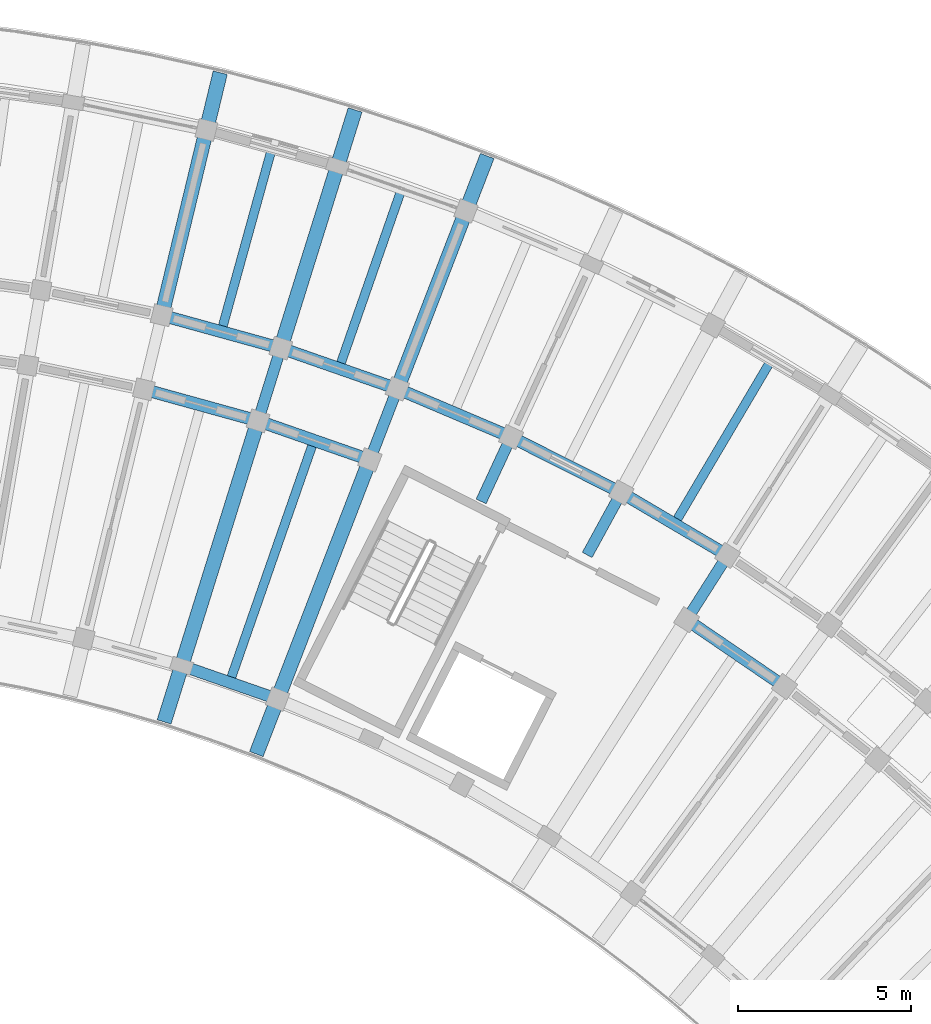
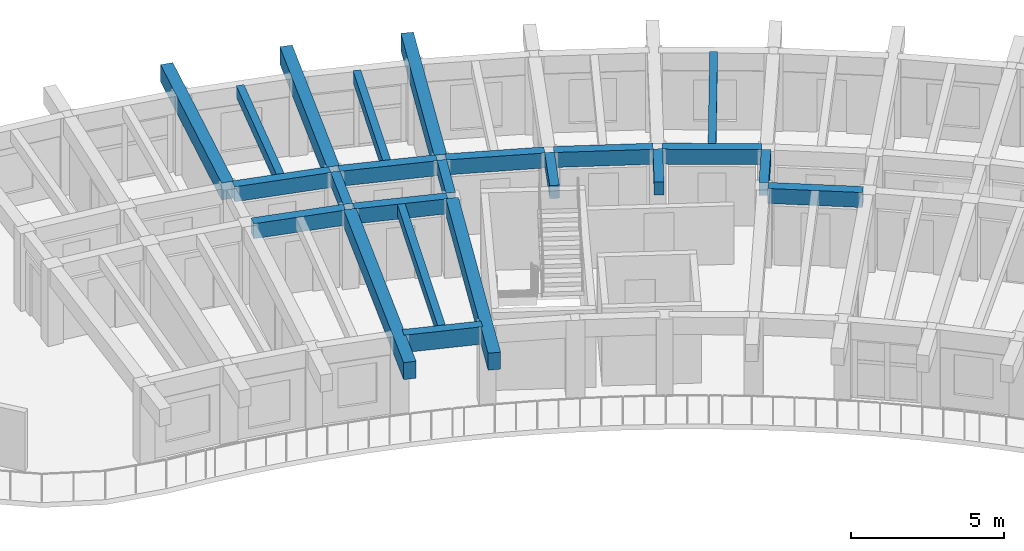
# One storey, part 39 of 96: 23 beams.
"""IFC4 building model written with IfcOpenShell, lengths in metres."""

from ifc_helpers import new_model, si_unit, direction, frame, origin, origin_2d, place, context, subcontext, project, spatial, rectangle, extrude, material, material_profile, profile_set, type_object, element, save


model = new_model("IFC4")

# Units and contexts
model_context = context("Model", 3, precision=1e-05, world=origin(), true_north=direction((0.0, 1.0)))
body_context = subcontext(model_context, "Body", "Model", "MODEL_VIEW")
ifc_project = project(units=[si_unit("LENGTHUNIT", "METRE"), si_unit("AREAUNIT", "SQUARE_METRE"), si_unit("VOLUMEUNIT", "CUBIC_METRE"), si_unit("PLANEANGLEUNIT", "RADIAN"), si_unit("MASSUNIT", "GRAM", prefix="KILO")], contexts=[model_context])

# Site, building, storey
site_placement = place(None, origin())
site = spatial("IfcSite", under=ifc_project, at=site_placement, CompositionType="ELEMENT")
building_placement = place(site_placement, origin())
building = spatial("IfcBuilding", under=site, at=building_placement, Name="Tanwirah Colonnade Gardens", CompositionType="ELEMENT")
storey_placement = place(building_placement, frame((0.0, 0.0, 12.199951171875)))
storey = spatial("IfcBuildingStorey", under=building, at=storey_placement, Name="L03", CompositionType="ELEMENT", Elevation=12.199951171875)

# Beams
ifc_material_1 = material(Name="Precast concrete C40/50", Category="concrete")
ifc_material_profile_1 = material_profile(ifc_material_1, rectangle(XDim=0.320068359375, YDim=0.52001953125, at=origin_2d()), Name="PC-BM 320x520")
ifc_profile_set_1 = profile_set([ifc_material_profile_1], Name="Precast concrete C40/50")
beam_type_1 = type_object("IfcBeamType", Name="BM-PC320", PredefinedType="BEAM", material=ifc_profile_set_1)
for number, where, z_axis, x_axis, name in (
    (1, (148.89697265625, 104.08349609375, 2.844970703125), (0.536509579595, 0.843894229749, 0.0), (-0.843894229749, 0.536509579595, 0.0), "Block B L03 Corridor Tie Beam 11"),
    (2, (145.945068359375, 105.826171875, 2.844970703125), (0.479707235792, 0.877428611301, 0.0), (-0.877428611301, 0.479707235792, 0.0), "Block B L03 Corridor Tie Beam 12"),
    (3, (142.884765625, 107.37060546875, 2.844970703125), (0.420858322681, 0.90712638162, 0.0), (-0.90712638162, 0.420858322681, 0.0), "Block B L03 Corridor Tie Beam 13"),
    (4, (139.729248046875, 108.7099609375, 2.844970703125), (0.360175656082, 0.932884503444, 0.0), (-0.932884503444, 0.360175656082, 0.0), "Block B L03 Corridor Tie Beam 14"),
    (5, (136.492431640625, 109.838623046875, 2.844970703125), (0.297857918398, 0.954610213882, 0.0), (-0.954610213882, 0.297857918398, 0.0), "Block B L03 Corridor Tie Beam 15"),
):
    element("IfcBeam", number, at=place(storey_placement, frame(where, z_axis=z_axis, x_axis=x_axis)), inside=storey, type_object=beam_type_1, Name=name, PredefinedType="BEAM", context=body_context, shape_type="SweptSolid", body=[
        extrude(rectangle(XDim=0.320068359375, YDim=0.52001953125, at=origin_2d()), origin(), (0.0, 0.0, 1.0), 1.89990234375),
    ])
ifc_material_profile_2 = material_profile(ifc_material_1, rectangle(XDim=0.35009765625, YDim=0.60009765625, at=origin_2d()), Name="PC-BM 350x600")
ifc_profile_set_2 = profile_set([ifc_material_profile_2], Name="Precast concrete C40/50")
beam_type_2 = type_object("IfcBeamType", Name="BM-PC350B", PredefinedType="BEAM", material=ifc_profile_set_2)
beam_1_placement = place(storey_placement, frame((151.515380859375, 102.113525390625, 2.804931640625), z_axis=(-0.825758291455, 0.564024152047, 0.0), x_axis=(-0.564024152047, -0.825758291455, 0.0)))
element("IfcBeam", 6, at=beam_1_placement, inside=storey, type_object=beam_type_2, Name="Block B L03 Circumferential Beam 10-R1", PredefinedType="BEAM", context=body_context, shape_type="SweptSolid", body=[
    extrude(rectangle(XDim=0.35009765625, YDim=0.60009765625, at=origin_2d()), origin(), (0.0, 0.0, 1.0), 3.118408203125),
])
for number, where, z_axis, x_axis, name in (
    (7, (149.86767578125, 105.8896484375, 2.804931640625), (-0.861134978964, 0.508376384193, 0.0), (-0.508376384193, -0.861134978964, 0.0), "Block B L03 Circumferential Beam 11-R2"),
    (8, (146.794677734375, 107.6923828125, 2.804931640625), (-0.89276014323, 0.450532270387, 0.0), (-0.450532270387, -0.89276014323, 0.0), "Block B L03 Circumferential Beam 12-R2"),
):
    element("IfcBeam", number, at=place(storey_placement, frame(where, z_axis=z_axis, x_axis=x_axis)), inside=storey, type_object=beam_type_2, Name=name, PredefinedType="BEAM", context=body_context, shape_type="SweptSolid", body=[
        extrude(rectangle(XDim=0.35009765625, YDim=0.60009765625, at=origin_2d()), origin(), (0.0, 0.0, 1.0), 3.26318359375),
    ])
beam_2_placement = place(storey_placement, frame((143.609375, 109.288818359375, 2.804931640625), z_axis=(-0.920513294115, 0.390711242938, 0.0), x_axis=(-0.390711242938, -0.920513294115, 0.0)))
element("IfcBeam", 9, at=beam_2_placement, inside=storey, type_object=beam_type_2, Name="Block B L03 Circumferential Beam 13-R2", PredefinedType="BEAM", context=body_context, shape_type="SweptSolid", body=[
    extrude(rectangle(XDim=0.35009765625, YDim=0.60009765625, at=origin_2d()), origin(), (0.0, 0.0, 1.0), 3.262939453125),
])
beam_3_placement = place(storey_placement, frame((139.53369140625, 108.619384765625, 2.804931640625), z_axis=(-0.944248304077, 0.329234172358, 0.0), x_axis=(-0.329234172358, -0.944248304077, 0.0)))
element("IfcBeam", 10, at=beam_3_placement, inside=storey, type_object=beam_type_2, Name="Block B L03 Circumferential Beam 14-R1", PredefinedType="BEAM", context=body_context, shape_type="SweptSolid", body=[
    extrude(rectangle(XDim=0.35009765625, YDim=0.60009765625, at=origin_2d()), origin(), (0.0, 0.0, 1.0), 3.1181640625),
])
beam_4_placement = place(storey_placement, frame((140.325927734375, 110.671630859375, 2.804931640625), z_axis=(-0.944231021702, 0.329283734272, 0.0), x_axis=(-0.329283734272, -0.944231021702, 0.0)))
element("IfcBeam", 11, at=beam_4_placement, inside=storey, type_object=beam_type_2, Name="Block B L03 Circumferential Beam 14-R2", PredefinedType="BEAM", context=body_context, shape_type="SweptSolid", body=[
    extrude(rectangle(XDim=0.35009765625, YDim=0.60009765625, at=origin_2d()), origin(), (0.0, 0.0, 1.0), 3.262939453125),
])
beam_5_placement = place(storey_placement, frame((136.302978515625, 109.7353515625, 2.804931640625), z_axis=(-0.963889412906, 0.266302834548, 0.0), x_axis=(-0.266302834548, -0.963889412906, 0.0)))
element("IfcBeam", 12, at=beam_5_placement, inside=storey, type_object=beam_type_2, Name="Block B L03 Circumferential Beam 15-R1", PredefinedType="BEAM", context=body_context, shape_type="SweptSolid", body=[
    extrude(rectangle(XDim=0.35009765625, YDim=0.60009765625, at=origin_2d()), origin(), (0.0, 0.0, 1.0), 3.117919921875),
])
beam_6_placement = place(storey_placement, frame((136.95849609375, 111.83544921875, 2.804931640625), z_axis=(-0.9638953302, 0.266281415833, 0.0), x_axis=(-0.266281415833, -0.9638953302, 0.0)))
element("IfcBeam", 13, at=beam_6_placement, inside=storey, type_object=beam_type_2, Name="Block B L03 Circumferential Beam 15-R2", PredefinedType="BEAM", context=body_context, shape_type="SweptSolid", body=[
    extrude(rectangle(XDim=0.35009765625, YDim=0.60009765625, at=origin_2d()), origin(), (0.0, 0.0, 1.0), 3.26318359375),
])
ifc_material_2 = material(Name="Precast concrete C45/55", Category="concrete")
ifc_material_profile_3 = material_profile(ifc_material_2, rectangle(XDim=0.419921875, YDim=0.679931640625, at=origin_2d()), Name="PC-BM 420x680")
ifc_profile_set_3 = profile_set([ifc_material_profile_3], Name="Precast concrete C45/55")
beam_type_3 = type_object("IfcBeamType", Name="BM-PC420", PredefinedType="BEAM", material=ifc_profile_set_3)
beam_7_placement = place(storey_placement, frame((139.62109375, 108.43017578125, 2.76513671875), z_axis=(-0.360155980892, -0.932892099563, 0.0), x_axis=(0.932892099563, -0.360155980892, 0.0)))
element("IfcBeam", 14, at=beam_7_placement, inside=storey, type_object=beam_type_3, Name="Block B L03 Inner Radial Precast Girder 14", PredefinedType="BEAM", context=body_context, shape_type="SweptSolid", body=[
    extrude(rectangle(XDim=0.419921875, YDim=0.679931640625, at=origin_2d()), origin(), (0.0, 0.0, 1.0), 8.949951171875),
])
beam_8_placement = place(storey_placement, frame((140.521728515625, 110.76220703125, 2.76513671875), z_axis=(0.360150678391, 0.932894146651, 0.0), x_axis=(-0.932894146651, 0.360150678391, 0.0)))
element("IfcBeam", 15, at=beam_8_placement, inside=storey, type_object=beam_type_3, Name="Block B L03 Outer Radial Precast Girder 14", PredefinedType="BEAM", context=body_context, shape_type="SweptSolid", body=[
    extrude(rectangle(XDim=0.419921875, YDim=0.679931640625, at=origin_2d()), origin(), (0.0, 0.0, 1.0), 7.050048828125),
])
beam_9_placement = place(storey_placement, frame((136.403076171875, 109.55224609375, 2.76513671875), z_axis=(-0.29792861283, -0.9545881529, 0.0), x_axis=(0.9545881529, -0.29792861283, 0.0)))
element("IfcBeam", 16, at=beam_9_placement, inside=storey, type_object=beam_type_3, Name="Block B L03 Inner Radial Precast Girder 15", PredefinedType="BEAM", context=body_context, shape_type="SweptSolid", body=[
    extrude(rectangle(XDim=0.419921875, YDim=0.679931640625, at=origin_2d()), origin(), (0.0, 0.0, 1.0), 8.9501953125),
])
beam_10_placement = place(storey_placement, frame((137.147705078125, 111.938720703125, 2.76513671875), z_axis=(0.297957513373, 0.954579132511, 0.0), x_axis=(-0.954579132511, 0.297957513373, 0.0)))
element("IfcBeam", 17, at=beam_10_placement, inside=storey, type_object=beam_type_3, Name="Block B L03 Outer Radial Precast Girder 15", PredefinedType="BEAM", context=body_context, shape_type="SweptSolid", body=[
    extrude(rectangle(XDim=0.419921875, YDim=0.679931640625, at=origin_2d()), origin(), (0.0, 0.0, 1.0), 7.050048828125),
])
beam_11_placement = place(storey_placement, frame((133.703857421875, 112.89013671875, 2.76513671875), z_axis=(0.234378734126, 0.972145364125, 0.0), x_axis=(-0.972145364125, 0.234378734126, 0.0)))
element("IfcBeam", 18, at=beam_11_placement, inside=storey, type_object=beam_type_3, Name="Block B L03 Outer Radial Precast Girder 16", PredefinedType="BEAM", context=body_context, shape_type="SweptSolid", body=[
    extrude(rectangle(XDim=0.419921875, YDim=0.679931640625, at=origin_2d()), origin(), (0.0, 0.0, 1.0), 7.0498046875),
])
ifc_material_profile_4 = material_profile(ifc_material_1, rectangle(XDim=0.260009765625, YDim=0.4599609375, at=origin_2d()), Name="PC-JST 260x460")
ifc_profile_set_4 = profile_set([ifc_material_profile_4], Name="Precast concrete C40/50")
beam_type_4 = type_object("IfcBeamType", Name="JST-PC260", PredefinedType="JOIST", material=ifc_profile_set_4)
beam_12_placement = place(storey_placement, frame((148.53857421875, 106.84765625, 2.875), z_axis=(0.508360236823, 0.86114451146, 0.0), x_axis=(-0.86114451146, 0.508360236823, 0.0)))
element("IfcBeam", 19, at=beam_12_placement, inside=storey, type_object=beam_type_4, Name="Block B L03 Precast Floor Joist 11", PredefinedType="JOIST", context=body_context, shape_type="SweptSolid", body=[
    extrude(rectangle(XDim=0.260009765625, YDim=0.4599609375, at=origin_2d()), origin(), (0.0, 0.0, 1.0), 5.26025390625),
])
beam_13_placement = place(storey_placement, frame((138.83447265625, 111.349853515625, 2.875), z_axis=(0.3292586038, 0.944239785131, 0.0), x_axis=(-0.944239785131, 0.3292586038, 0.0)))
element("IfcBeam", 20, at=beam_13_placement, inside=storey, type_object=beam_type_4, Name="Block B L03 Precast Floor Joist 14", PredefinedType="JOIST", context=body_context, shape_type="SweptSolid", body=[
    extrude(rectangle(XDim=0.260009765625, YDim=0.4599609375, at=origin_2d()), origin(), (0.0, 0.0, 1.0), 5.260009765625),
])
beam_14_placement = place(storey_placement, frame((135.673828125, 102.28515625, 2.875), z_axis=(0.329250558112, 0.944242590642, 0.0), x_axis=(-0.944242590642, 0.329250558112, 0.0)))
element("IfcBeam", 21, at=beam_14_placement, inside=storey, type_object=beam_type_4, Name="Block B L03 Inner Precast Floor Joist 14", PredefinedType="JOIST", context=body_context, shape_type="SweptSolid", body=[
    extrude(rectangle(XDim=0.260009765625, YDim=0.4599609375, at=origin_2d()), origin(), (0.0, 0.0, 1.0), 7.159912109375),
])
beam_15_placement = place(storey_placement, frame((135.42578125, 112.413818359375, 2.875), z_axis=(0.266281476085, 0.963895313555, 0.0), x_axis=(-0.963895313555, 0.266281476085, 0.0)))
element("IfcBeam", 22, at=beam_15_placement, inside=storey, type_object=beam_type_4, Name="Block B L03 Precast Floor Joist 15", PredefinedType="JOIST", context=body_context, shape_type="SweptSolid", body=[
    extrude(rectangle(XDim=0.260009765625, YDim=0.4599609375, at=origin_2d()), origin(), (0.0, 0.0, 1.0), 5.260009765625),
])
ifc_material_profile_5 = material_profile(ifc_material_1, rectangle(XDim=0.3349609375, YDim=0.695068359375, at=origin_2d()), Name="PC-SP 335x695")
ifc_profile_set_5 = profile_set([ifc_material_profile_5], Name="Precast concrete C40/50")
beam_type_5 = type_object("IfcBeamType", Name="SP-PC300", PredefinedType="SPANDREL", material=ifc_profile_set_5)
beam_16_placement = place(storey_placement, frame((136.8681640625, 101.716064453125, 2.757568359375), z_axis=(-0.944249847334, 0.32922974624, 0.0), x_axis=(-0.32922974624, -0.944249847334, 0.0)))
element("IfcBeam", 23, at=beam_16_placement, inside=storey, type_object=beam_type_5, Name="Block B L03 Circumferential Beam 14-R0", PredefinedType="SPANDREL", context=body_context, shape_type="SweptSolid", body=[
    extrude(rectangle(XDim=0.3349609375, YDim=0.695068359375, at=origin_2d()), origin(), (0.0, 0.0, 1.0), 2.63037109375),
])

save(model, "model.ifc")
